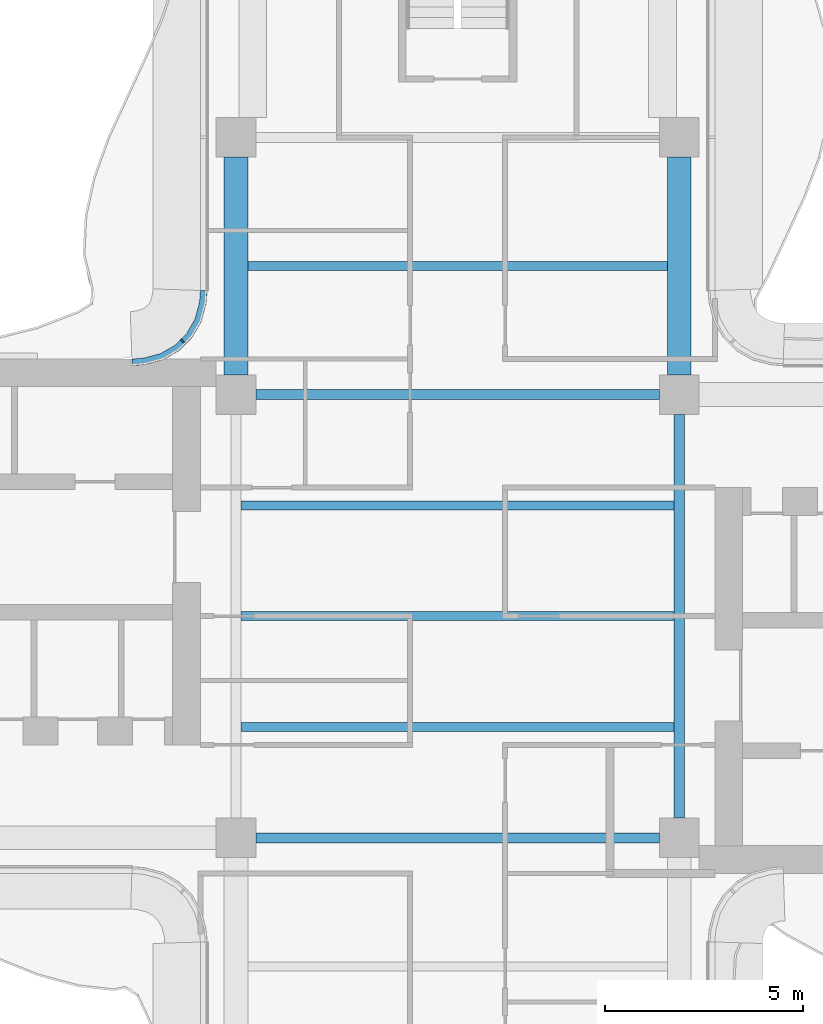
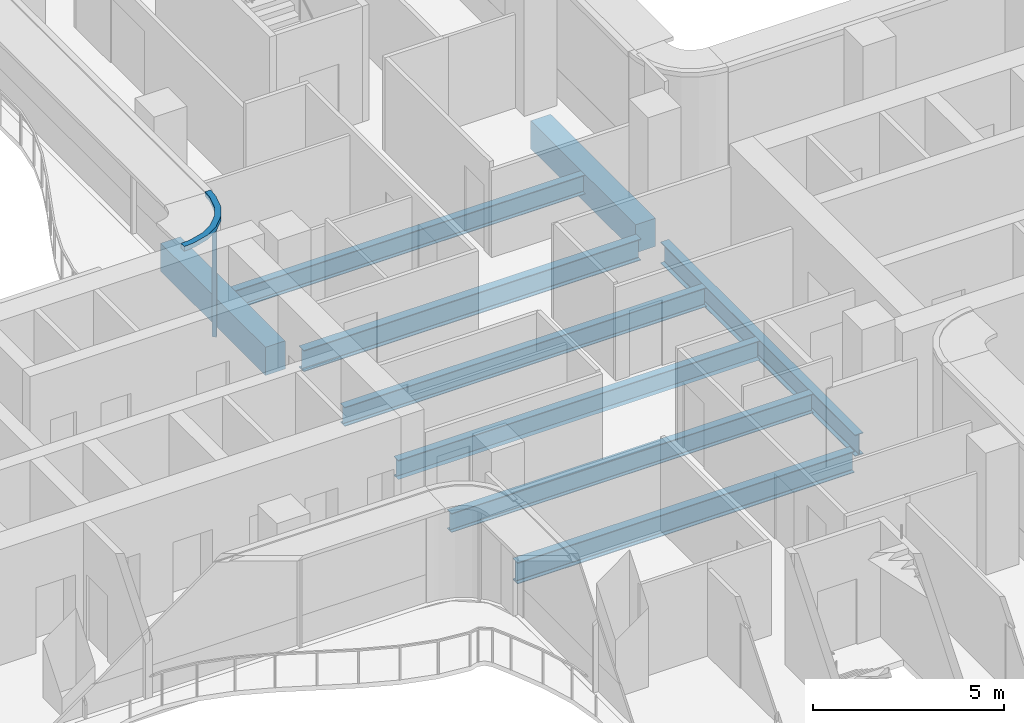
# One storey, part 4 of 16: 9 beams, 2 members, 1 element without a shape of its own.
"""IFC4 building model written with IfcOpenShell, lengths in metres."""

from ifc_helpers import new_model, si_unit, direction, frame, origin, origin_2d, place, context, subcontext, project, spatial, polyline, rectangle, i_section, outline, extrude, source, transform, mapped, material, layer, layer_set, material_profile, profile_set, type_object, element, aggregate, save


model = new_model("IFC4")

# Units and contexts
model_context = context("Model", 3, precision=1e-05, world=origin(), true_north=direction((0.0, 1.0)))
body_context = subcontext(model_context, "Body", "Model", "MODEL_VIEW")
ifc_project = project(units=[si_unit("LENGTHUNIT", "METRE"), si_unit("AREAUNIT", "SQUARE_METRE"), si_unit("VOLUMEUNIT", "CUBIC_METRE"), si_unit("PLANEANGLEUNIT", "RADIAN"), si_unit("MASSUNIT", "GRAM", prefix="KILO")], contexts=[model_context])

# Site, building, storey
site_placement = place(None, origin())
site = spatial("IfcSite", under=ifc_project, at=site_placement, CompositionType="ELEMENT")
building_placement = place(site_placement, origin())
building = spatial("IfcBuilding", under=site, at=building_placement, Name="Trellis Farm Tower", CompositionType="ELEMENT")
storey_placement = place(building_placement, frame((0.0, 0.0, 291.10009765625)))
storey = spatial("IfcBuildingStorey", under=building, at=storey_placement, Name="L65", CompositionType="ELEMENT", Elevation=291.10009765625)

# Beams
ifc_material_1 = material(Name="Steel S355", Category="steel")
ifc_material_profile_1 = material_profile(ifc_material_1, i_section(OverallWidth=0.22900390625, OverallDepth=0.6123046875, WebThickness=0.011962890625, FlangeThickness=0.01953125, FilletRadius=0.0126953125, at=origin_2d()), Name="UB 610x229x125")
ifc_profile_set_1 = profile_set([ifc_material_profile_1], Name="Steel S355")
beam_type_1 = type_object("IfcBeamType", Name="UB 610x229x125 joist", PredefinedType="JOIST", material=ifc_profile_set_1)
shared_shape_1 = source(origin(), body_context, "Body", "SweptSolid", [
    extrude(i_section(OverallWidth=0.22900390625, OverallDepth=0.6123046875, WebThickness=0.011962890625, FlangeThickness=0.01953125, FilletRadius=0.0126953125, at=origin_2d()), origin(), (0.0, 0.0, 1.0), 10.9462890625),
])
for number, where, z_axis, x_axis, name in (
    (1, (-5.47314453125, -2.800048828125, -0.506103515625), (1.0, 0.0, 0.0), (0.0, 1.0, 0.0), "Floor beam"),
    (2, (-5.47314453125, 0.0, -0.506103515625), (1.0, 0.0, 0.0), (0.0, 1.0, 0.0), "Floor beam"),
    (3, (-5.47314453125, 2.800048828125, -0.506103515625), (1.0, 0.0, 0.0), (0.0, 1.0, 0.0), "Floor beam"),
):
    element("IfcBeam", number, at=place(storey_placement, frame(where, z_axis=z_axis, x_axis=x_axis)), inside=storey, type_object=beam_type_1, Name=name, PredefinedType="JOIST", context=body_context, shape_type="MappedRepresentation", body=[
        mapped(shared_shape_1, transform((0.0, 0.0, 0.0))),
    ])
shared_shape_2 = source(origin(), body_context, "Body", "SweptSolid", [
    extrude(i_section(OverallWidth=0.22900390625, OverallDepth=0.6123046875, WebThickness=0.011962890625, FlangeThickness=0.01953125, FilletRadius=0.0126953125, at=origin_2d()), origin(), (0.0, 0.0, 1.0), 10.60009765625),
])
beam_placement = place(storey_placement, frame((-5.300048828125, 8.85009765625, -0.506103515625), z_axis=(1.0, 0.0, 0.0), x_axis=(0.0, 1.0, 0.0)))
element("IfcBeam", 4, at=beam_placement, inside=storey, type_object=beam_type_1, Name="Floor beam", PredefinedType="JOIST", context=body_context, shape_type="MappedRepresentation", body=[
    mapped(shared_shape_2, transform((0.0, 0.0, 0.0))),
])
ifc_material_profile_2 = material_profile(ifc_material_1, i_section(OverallWidth=0.253662109375, OverallDepth=0.68359375, WebThickness=0.012451171875, FlangeThickness=0.021728515625, FilletRadius=0.01513671875, at=origin_2d()), Name="UB 686x254x140")
ifc_profile_set_2 = profile_set([ifc_material_profile_2], Name="Steel S355")
beam_type_2 = type_object("IfcBeamType", Name="UB 686x254x140", PredefinedType="BEAM", material=ifc_profile_set_2)
shared_shape_3 = source(origin(), body_context, "Body", "SweptSolid", [
    extrude(i_section(OverallWidth=0.253662109375, OverallDepth=0.68359375, WebThickness=0.012451171875, FlangeThickness=0.021728515625, FilletRadius=0.01513671875, at=origin_2d()), origin(), (0.0, 0.0, 1.0), 10.2001953125),
])
for number, where, z_axis, x_axis, name in (
    (5, (-5.10009765625, -5.60009765625, -0.541748046875), (1.0, 0.0, 0.0), (0.0, 1.0, 0.0), "Girder"),
    (6, (-5.10009765625, 5.60009765625, -0.541748046875), (1.0, 0.0, 0.0), (0.0, 1.0, 0.0), "Girder"),
    (7, (5.60009765625, -5.10009765625, -0.541748046875), (0.0, 1.0, 0.0), (-1.0, 0.0, 0.0), "Girder"),
):
    element("IfcBeam", number, at=place(storey_placement, frame(where, z_axis=z_axis, x_axis=x_axis)), inside=storey, type_object=beam_type_2, Name=name, PredefinedType="BEAM", context=body_context, shape_type="MappedRepresentation", body=[
        mapped(shared_shape_3, transform((0.0, 0.0, 0.0))),
    ])
ifc_material_2 = material(Name="Concrete C60/75", Category="concrete")
ifc_material_profile_3 = material_profile(ifc_material_2, rectangle(XDim=0.60009765625, YDim=0.89990234375, at=origin_2d()), Name="RC spandrel beam 600x900 C60/75")
ifc_profile_set_3 = profile_set([ifc_material_profile_3], Name="Concrete C60/75")
beam_type_3 = type_object("IfcBeamType", Name="RC spandrel beam 600x900 C60/75", PredefinedType="SPANDREL", material=ifc_profile_set_3)
shared_shape_4 = source(origin(), body_context, "Body", "SweptSolid", [
    extrude(rectangle(XDim=0.60009765625, YDim=0.89990234375, at=origin_2d()), origin(), (0.0, 0.0, 1.0), 5.5),
])
for number, where, z_axis, x_axis, name in (
    (8, (-5.60009765625, 6.10009765625, -0.650146484375), (0.0, 1.0, 0.0), (-1.0, 0.0, 0.0), "Girder"),
    (9, (5.60009765625, 6.10009765625, -0.650146484375), (0.0, 1.0, 0.0), (-1.0, 0.0, 0.0), "Girder"),
):
    element("IfcBeam", number, at=place(storey_placement, frame(where, z_axis=z_axis, x_axis=x_axis)), inside=storey, type_object=beam_type_3, Name=name, PredefinedType="SPANDREL", context=body_context, shape_type="MappedRepresentation", body=[
        mapped(shared_shape_4, transform((0.0, 0.0, 0.0))),
    ])

# Curtain wall, members
ifc_material_3 = material(Name="Aluminium and glass curtain wall", Category="aluminium")
ifc_layer_1 = layer(ifc_material_3, 0.166015625)
ifc_layer_set_1 = layer_set([ifc_layer_1], Name="WINTER GARDEN CURTAIN WALL CW3")
curtain_wall_type = type_object("IfcCurtainWallType", Name="WINTER GARDEN CURTAIN WALL CW3", PredefinedType="NOTDEFINED", material=ifc_layer_set_1)
curtain_wall_placement = place(storey_placement, origin())
curtain_wall = element("IfcCurtainWall", 10, at=curtain_wall_placement, inside=storey, type_object=curtain_wall_type, Name="CW3 004", PredefinedType="NOTDEFINED")
ifc_material_4 = material(Name="Aluminium extrusion 6063-T6", Category="aluminium")
ifc_material_profile_4 = material_profile(ifc_material_4, rectangle(XDim=0.050048828125, YDim=0.1201171875, at=origin_2d()), Name="MULLION 50x120")
ifc_profile_set_4 = profile_set([ifc_material_profile_4], Name="Aluminium extrusion 6063-T6")
member_type_1 = type_object("IfcMemberType", Name="CW3 MULLION 50x120", PredefinedType="MULLION", material=ifc_profile_set_4)
shared_shape_5 = source(origin(), body_context, "Body", "SweptSolid", [
    extrude(rectangle(XDim=0.050048828125, YDim=0.1201171875, at=origin_2d()), origin(), (0.0, 0.0, 1.0), 3.5498046875),
])
member_1_placement = place(storey_placement, frame((-6.953125, 6.953125, 0.0), z_axis=(0.0, 0.0, 1.0), x_axis=(-0.707106781187, -0.707106781187, 0.0)))
member_1 = element("IfcMember", 11, at=member_1_placement, type_object=member_type_1, Name="MU3 004-01", PredefinedType="MULLION", context=body_context, shape_type="MappedRepresentation", body=[
    mapped(shared_shape_5, transform((0.0, 0.0, 0.0))),
])
ifc_layer_2 = layer(ifc_material_4, 0.169921875)
ifc_layer_set_2 = layer_set([ifc_layer_2], Name="Aluminium extrusion 6063-T6")
member_type_2 = type_object("IfcMemberType", Name="CW3 TRANSOM 170x150", PredefinedType="USERDEFINED", material=ifc_layer_set_2)
shared_shape_6 = source(origin(), body_context, "Body", "SweptSolid", [
    extrude(outline(polyline([(-6.5, 8.2314453125), (-6.513916015625, 8.01953125), (-6.527587890625, 7.91552734375), (-6.63671875, 7.508544921875), (-6.846923828125, 7.144287109375), (-7.144287109375, 6.846923828125), (-7.508544921875, 6.63671875), (-7.91552734375, 6.527587890625), (-8.01953125, 6.513916015625), (-8.2314453125, 6.5), (-8.225830078125, 6.330078125), (-8.0029296875, 6.3447265625), (-7.88232421875, 6.360595703125), (-7.44287109375, 6.478271484375), (-7.0400390625, 6.7109375), (-6.7109375, 7.0400390625), (-6.478271484375, 7.44287109375), (-6.360595703125, 7.88232421875), (-6.3447265625, 8.0029296875), (-6.330078125, 8.225830078125), (-6.5, 8.2314453125)])), origin(), (0.0, 0.0, 1.0), 0.150146484375),
])
member_2_placement = place(storey_placement, frame((0.0, 0.0, 3.5498046875)))
member_2 = element("IfcMember", 12, at=member_2_placement, type_object=member_type_2, Name="TR3 004", ObjectType="TRANSOM", PredefinedType="USERDEFINED", context=body_context, shape_type="MappedRepresentation", body=[
    mapped(shared_shape_6, transform((0.0, 0.0, 0.0))),
])
aggregate(curtain_wall, [member_1, member_2])

save(model, "model.ifc")
